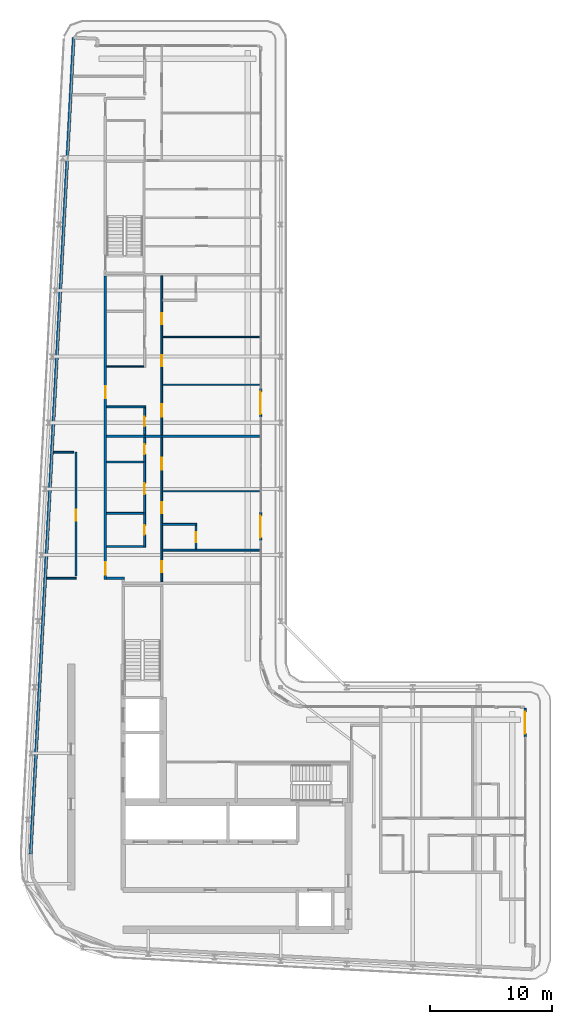
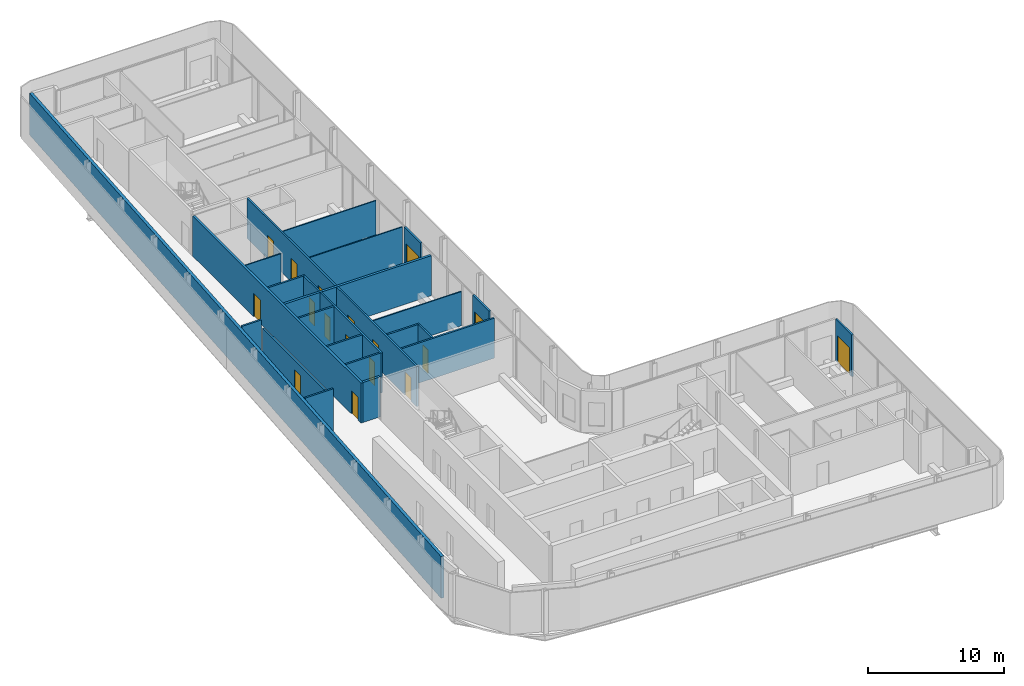
# One storey, part 13 of 21: 25 walls, 17 doors, 17 openings.
"""IFC4 building model written with IfcOpenShell, lengths in metres."""

import ifcopenshell
import ifcopenshell.guid

model = None  # the IFC model being written
_history = None  # IfcOwnerHistory: only IFC2X3 demands one
_inside = {}  # id of a spatial element -> (the spatial element, [elements in it])
_under = {}  # id of a project, library or spatial element -> (it, [spatial elements below it])
_declared = {}  # id of a project -> (the project, [libraries it declares])
_typed = {}  # id of a type object -> (the type object, [elements of that type])
_made_of = {}  # id of a material, layer set ... -> (it, [elements and type objects made of it])


def new_model(schema):
    """Start an empty IFC model of exactly this schema.

    Asked for "IFC4X3", IfcOpenShell would pick the latest addendum, in which some entities
    have other attributes; the version numbers below select the first issue.
    IFC2X3 requires an IfcOwnerHistory on every rooted entity: one is made here for all.
    """
    global model, _history
    if schema == "IFC4X3":
        model = ifcopenshell.file(schema_version=(4, 3, 0, 0))
    else:
        model = ifcopenshell.file(schema=schema)
    _inside.clear()
    _under.clear()
    _declared.clear()
    _typed.clear()
    _made_of.clear()
    _history = None
    if model.schema == "IFC2X3":
        org = make("IfcOrganization", Name="unknown")
        user = make(
            "IfcPersonAndOrganization",
            ThePerson=make("IfcPerson", FamilyName="unknown"),
            TheOrganization=org,
        )
        app = make(
            "IfcApplication",
            ApplicationDeveloper=org,
            Version="unknown",
            ApplicationFullName="unknown",
            ApplicationIdentifier="unknown",
        )
        _history = make(
            "IfcOwnerHistory",
            OwningUser=user,
            OwningApplication=app,
            ChangeAction="ADDED",
            CreationDate=0,
        )
    return model


def make(cls, **values):
    """One entity of the class cls with the attributes given. An attribute that is None is left unset."""
    return model.create_entity(
        cls, **{name: value for name, value in values.items() if value is not None}
    )


def rooted(cls, **values):
    """An entity with a GlobalId (a new one), such as an element, a storey or a relation."""
    return make(cls, GlobalId=ifcopenshell.guid.new(), OwnerHistory=_history, **values)


def si_unit(unit_type, name, prefix=None):
    """IfcSIUnit, for example si_unit("LENGTHUNIT", "METRE", prefix="MILLI")."""
    return make("IfcSIUnit", UnitType=unit_type, Prefix=prefix, Name=name)


def assignment(units):
    """IfcUnitAssignment: the units of a project."""
    return None if units is None else make("IfcUnitAssignment", Units=units)


def point(xyz):
    """IfcCartesianPoint."""
    return None if xyz is None else make("IfcCartesianPoint", Coordinates=xyz)


def direction(xyz):
    """IfcDirection."""
    return None if xyz is None else make("IfcDirection", DirectionRatios=xyz)


def frame(location, z_axis=None, x_axis=None):
    """IfcAxis2Placement3D, a coordinate frame: its origin and axes. An axis left out is left unset."""
    return make(
        "IfcAxis2Placement3D",
        Location=point(location),
        Axis=direction(z_axis),
        RefDirection=direction(x_axis),
    )


def frame_2d(location, x_axis=None):
    """IfcAxis2Placement2D, a coordinate frame in the plane: its origin and x axis."""
    return make(
        "IfcAxis2Placement2D", Location=point(location), RefDirection=direction(x_axis)
    )


def origin():
    """The frame at (0, 0, 0) with its axes left unset."""
    return frame((0.0, 0.0, 0.0))


def place(relative_to, where):
    """IfcLocalPlacement: puts the frame where relative to a parent placement (None: the world)."""
    return make(
        "IfcLocalPlacement", PlacementRelTo=relative_to, RelativePlacement=where
    )


def context(
    kind, dimensions, precision=None, world=None, true_north=None, identifier=None
):
    """IfcGeometricRepresentationContext, for example the 3D "Model" context."""
    return make(
        "IfcGeometricRepresentationContext",
        ContextIdentifier=identifier,
        ContextType=kind,
        CoordinateSpaceDimension=dimensions,
        Precision=precision,
        WorldCoordinateSystem=world,
        TrueNorth=true_north,
    )


def subcontext(parent, identifier, kind, view, scale=None):
    """IfcGeometricRepresentationSubContext, for example "Body" below "Model"."""
    return make(
        "IfcGeometricRepresentationSubContext",
        ContextIdentifier=identifier,
        ContextType=kind,
        ParentContext=parent,
        TargetScale=scale,
        TargetView=view,
    )


def project(units=None, contexts=None):
    """IfcProject with its units and contexts."""
    return rooted(
        "IfcProject",
        Name="project",
        RepresentationContexts=contexts,
        UnitsInContext=assignment(units),
    )


def spatial(cls, under=None, at=None, **own):
    """A site, building, storey or space (cls), placed at a placement, below another one or the project."""
    s = rooted(cls, ObjectPlacement=at, **own)
    if under is not None:
        _under.setdefault(under.id(), (under, []))[1].append(s)
    return s


def profile(cls, at=None, kind="AREA", **sizes):
    """A parametric profile (cls). Its sizes go by their IFC names, for example OverallWidth=200.0."""
    return make(cls, ProfileType=kind, Position=at, **sizes)


def rectangle(**sizes):
    """IfcRectangleProfileDef."""
    return profile("IfcRectangleProfileDef", **sizes)


def extrude(swept, where, along, depth):
    """IfcExtrudedAreaSolid: the profile swept, set in the frame where, extruded along a direction by depth."""
    return make(
        "IfcExtrudedAreaSolid",
        SweptArea=swept,
        Position=where,
        ExtrudedDirection=direction(along),
        Depth=depth,
    )


def shape(context_of_items, identifier, shape_type, items):
    """IfcShapeRepresentation: the items that make up one representation, for example the "Body"."""
    return make(
        "IfcShapeRepresentation",
        ContextOfItems=context_of_items,
        RepresentationIdentifier=identifier,
        RepresentationType=shape_type,
        Items=items,
    )


def source(mapping_origin, context_of_items, identifier, shape_type, items):
    """IfcRepresentationMap: a shape defined once, which mapped items show again and again."""
    return make(
        "IfcRepresentationMap",
        MappingOrigin=mapping_origin,
        MappedRepresentation=shape(context_of_items, identifier, shape_type, items),
    )


def transform(
    local_origin,
    x_axis=None,
    y_axis=None,
    z_axis=None,
    scale=None,
    scale2=None,
    scale3=None,
    uniform=True,
):
    """IfcCartesianTransformationOperator3D, or its non-uniform kind. x_axis, y_axis, z_axis: its Axis1, 2, 3."""
    if uniform:
        return make(
            "IfcCartesianTransformationOperator3D",
            Axis1=direction(x_axis),
            Axis2=direction(y_axis),
            LocalOrigin=point(local_origin),
            Scale=scale,
            Axis3=direction(z_axis),
        )
    return make(
        "IfcCartesianTransformationOperator3DnonUniform",
        Axis1=direction(x_axis),
        Axis2=direction(y_axis),
        LocalOrigin=point(local_origin),
        Scale=scale,
        Axis3=direction(z_axis),
        Scale2=scale2,
        Scale3=scale3,
    )


def mapped(mapping_source, mapping_target):
    """IfcMappedItem: shows the shape of a source again, moved by a transform."""
    return make(
        "IfcMappedItem", MappingSource=mapping_source, MappingTarget=mapping_target
    )


def material(Name=None, Category=None):
    """IfcMaterial."""
    return make("IfcMaterial", Name=Name, Category=Category)


def layer(
    of_material, thickness, ventilated=None, Name=None, Category=None, Priority=None
):
    """IfcMaterialLayer: one layer of a wall or slab, of a material (None: an air gap)."""
    return make(
        "IfcMaterialLayer",
        Material=of_material,
        LayerThickness=thickness,
        IsVentilated=ventilated,
        Name=Name,
        Category=Category,
        Priority=Priority,
    )


def layer_set(layers, Name=None):
    """IfcMaterialLayerSet."""
    return make("IfcMaterialLayerSet", MaterialLayers=layers, LayerSetName=Name)


def made_of(thing, what):
    """Note that an element or type object is made of a material, layer set ...; save() writes the relation."""
    if what is not None:
        _made_of.setdefault(what.id(), (what, []))[1].append(thing)
    return thing


def type_object(cls, material=None, **own):
    """A type object (cls), such as IfcWallType, which elements share."""
    return made_of(rooted(cls, **own), material)


def element(
    cls,
    number,
    at=None,
    inside=None,
    cuts=None,
    type_object=None,
    material=None,
    context=None,
    identifier="Body",
    shape_type=None,
    held_by="IfcProductDefinitionShape",
    body=None,
    shapes=None,
    **own,
):
    """One element of the class cls, such as IfcWall. Its Tag is "e" and its number.

    at: its placement. inside: the storey or other place that contains it. cuts: it is an
    opening in that element (IfcRelVoidsElement). A single representation is given by context,
    identifier, shape_type and body (its items); several are given by shapes. held_by: the class
    of the entity that holds the representations. save() writes the other relations.
    """
    e = rooted(cls, Tag="e%d" % number, ObjectPlacement=at, **own)
    if body is not None:
        shapes = [shape(context, identifier, shape_type, body)]
    if shapes is not None:
        e.Representation = make(held_by, Representations=shapes)
    if inside is not None:
        _inside.setdefault(inside.id(), (inside, []))[1].append(e)
    if cuts is not None:
        rooted(
            "IfcRelVoidsElement", RelatingBuildingElement=cuts, RelatedOpeningElement=e
        )
    if type_object is not None:
        _typed.setdefault(type_object.id(), (type_object, []))[1].append(e)
    return made_of(e, material)


def fill(opening, filler):
    """IfcRelFillsElement: the door or window that sits in an opening."""
    return rooted(
        "IfcRelFillsElement",
        RelatingOpeningElement=opening,
        RelatedBuildingElement=filler,
    )


def aggregate(whole, parts):
    """IfcRelAggregates: a whole, such as a stair, and the parts it consists of."""
    return rooted("IfcRelAggregates", RelatingObject=whole, RelatedObjects=parts)


def save(model, path):
    """Write the relations noted so far, then the file.

    IfcRelAggregates (storeys below a building ...), IfcRelContainedInSpatialStructure (elements
    in a storey), IfcRelDefinesByType, IfcRelAssociatesMaterial and IfcRelDeclares: one each for
    every whole, place, type object, material and project.
    """
    for whole, parts in _under.values():
        aggregate(whole, parts)
    for where, things in _inside.values():
        rooted(
            "IfcRelContainedInSpatialStructure",
            RelatedElements=things,
            RelatingStructure=where,
        )
    for kind, things in _typed.values():
        rooted("IfcRelDefinesByType", RelatedObjects=things, RelatingType=kind)
    for what, things in _made_of.values():
        rooted("IfcRelAssociatesMaterial", RelatedObjects=things, RelatingMaterial=what)
    for by, libraries in _declared.values():
        rooted("IfcRelDeclares", RelatingContext=by, RelatedDefinitions=libraries)
    model.write(path)


model = new_model("IFC4")

# Units and contexts
model_context = context("Model", 3, precision=1e-05, world=origin(), true_north=direction((0.0, 1.0)))
body_context = subcontext(model_context, "Body", "Model", "MODEL_VIEW")
ifc_project = project(units=[si_unit("LENGTHUNIT", "METRE"), si_unit("AREAUNIT", "SQUARE_METRE"), si_unit("VOLUMEUNIT", "CUBIC_METRE"), si_unit("PLANEANGLEUNIT", "RADIAN"), si_unit("MASSUNIT", "GRAM", prefix="KILO")], contexts=[model_context])

# Site, building, storey
site_placement = place(None, origin())
site = spatial("IfcSite", under=ifc_project, at=site_placement, CompositionType="ELEMENT")
building_placement = place(site_placement, origin())
building = spatial("IfcBuilding", under=site, at=building_placement, Name="Kheshtan School and Residences Tower", CompositionType="ELEMENT")
storey_placement = place(building_placement, frame((0.0, 0.0, 298.10009765625)))
storey = spatial("IfcBuildingStorey", under=building, at=storey_placement, Name="L70", CompositionType="ELEMENT", Elevation=298.10009765625)

# Wall, openings, doors
ifc_material_1 = material(Name="Gypsum board on steel studs with fire boards", Category="steel")
ifc_layer_1 = layer(ifc_material_1, 0.199951171875)
ifc_layer_set_1 = layer_set([ifc_layer_1], Name="Corridor wall 200")
wall_type_1 = type_object("IfcWallType", Name="Corridor wall 200", PredefinedType="PARTITIONING", material=ifc_layer_set_1)
wall_1_placement = place(storey_placement, frame((33.300048828125, 54.39990234375, 0.0), z_axis=(0.0, 0.0, 1.0), x_axis=(0.0, 1.0, 0.0)))
wall_1 = element("IfcWall", 1, at=wall_1_placement, inside=storey, type_object=wall_type_1, Name="Partition L70-004", PredefinedType="PARTITIONING", context=body_context, shape_type="SweptSolid", body=[
    extrude(rectangle(XDim=24.800048828125, YDim=0.199951171875, at=frame_2d((12.39990234375, 0.0))), origin(), (0.0, 0.0, 1.0), 3.599853515625),
])
opening_1_placement = place(wall_1_placement, frame((0.39990234375, 0.0, 0.0)))
opening_1 = element("IfcOpeningElement", 2, at=opening_1_placement, cuts=wall_1, Name="Opening D70-013", PredefinedType="OPENING", context=body_context, shape_type="SweptSolid", body=[
    extrude(rectangle(XDim=1.0, YDim=2.10009765625, at=frame_2d((0.5, 1.050048828125))), frame((0.0, 0.10986328125, 0.0), z_axis=(0.0, -1.0, 0.0), x_axis=(1.0, 0.0, 0.0)), (0.0, 0.0, 1.0), 0.219970703125),
])
opening_2_placement = place(wall_1_placement, frame((14.800048828125, 0.0, 0.0)))
opening_2 = element("IfcOpeningElement", 3, at=opening_2_placement, cuts=wall_1, Name="Opening D70-021", PredefinedType="OPENING", context=body_context, shape_type="SweptSolid", body=[
    extrude(rectangle(XDim=1.0, YDim=2.10009765625, at=frame_2d((0.5, 1.050048828125))), frame((0.0, 0.10986328125, 0.0), z_axis=(0.0, -1.0, 0.0), x_axis=(1.0, 0.0, 0.0)), (0.0, 0.0, 1.0), 0.219970703125),
])
ifc_material_2 = material(Name="Steel-framed fire-resisting door leaf", Category="steel")
door_type_1 = type_object("IfcDoorType", Name="Fire door FD30S 1000 x 2100", OperationType="SINGLE_SWING_LEFT", PredefinedType="DOOR", material=ifc_material_2)
shared_shape_1 = source(origin(), body_context, "Body", "SweptSolid", [
    extrude(rectangle(XDim=1.0, YDim=2.10009765625, at=frame_2d((0.5, 1.050048828125))), frame((0.0, 0.02490234375, 0.0), z_axis=(0.0, -1.0, 0.0), x_axis=(1.0, 0.0, 0.0)), (0.0, 0.0, 1.0), 0.050048828125),
])
door_1_placement = place(opening_1_placement, origin())
door_1 = element("IfcDoor", 4, at=door_1_placement, inside=storey, type_object=door_type_1, Name="Door D70-013", OperationType="SINGLE_SWING_RIGHT", OverallHeight=2.10009765625, OverallWidth=1.0, PredefinedType="DOOR", context=body_context, shape_type="MappedRepresentation", body=[
    mapped(shared_shape_1, transform((0.0, 0.0, 0.0), x_axis=(1.0, 0.0, 0.0), y_axis=(0.0, 1.0, 0.0), z_axis=(0.0, 0.0, 1.0), scale=1.0)),
])
fill(opening_1, door_1)
door_2_placement = place(opening_2_placement, origin())
door_2 = element("IfcDoor", 5, at=door_2_placement, inside=storey, type_object=door_type_1, Name="Door D70-021", OperationType="SINGLE_SWING_RIGHT", OverallHeight=2.10009765625, OverallWidth=1.0, PredefinedType="DOOR", context=body_context, shape_type="MappedRepresentation", body=[
    mapped(shared_shape_1, transform((0.0, 0.0, 0.0), x_axis=(1.0, 0.0, 0.0), y_axis=(0.0, 1.0, 0.0), z_axis=(0.0, 0.0, 1.0), scale=1.0)),
])
fill(opening_2, door_2)

# Walls
wall_2_placement = place(storey_placement, frame((33.39990234375, 54.5, 0.0), z_axis=(0.0, 0.0, 1.0), x_axis=(1.0, 0.0, 0.0)))
element("IfcWall", 6, at=wall_2_placement, inside=storey, type_object=wall_type_1, Name="Partition L70-006", PredefinedType="PARTITIONING", context=body_context, shape_type="SweptSolid", body=[
    extrude(rectangle(XDim=1.4501953125, YDim=0.199951171875, at=frame_2d((0.72509765625, 0.0))), origin(), (0.0, 0.0, 1.0), 3.599853515625),
])
ifc_material_3 = material(Name="Concrete C40/50 with ceramic cladding and mineral wool insulation", Category="concrete")
ifc_layer_2 = layer(ifc_material_3, 0.25)
ifc_layer_set_2 = layer_set([ifc_layer_2], Name="External wall 250 ceramic clad")
wall_type_2 = type_object("IfcWallType", Name="External wall 250 ceramic clad", PredefinedType="SOLIDWALL", material=ifc_layer_set_2)
wall_3_placement = place(storey_placement, frame((27.195068359375, 31.968994140625, 0.0), z_axis=(0.0, 0.0, 1.0), x_axis=(0.052554995867, 0.998618031286, 0.0)))
element("IfcWall", 7, at=wall_3_placement, inside=storey, type_object=wall_type_2, Name="External wall L70 4", PredefinedType="SOLIDWALL", context=body_context, shape_type="SweptSolid", body=[
    extrude(rectangle(XDim=66.787353515625, YDim=0.25, at=frame_2d((33.3935546875, 0.0))), origin(), (0.0, 0.0, 1.0), 3.75),
])

# Wall, opening, door
ifc_material_4 = material(Name="Aluminium frame wall with insulated infill", Category="aluminium")
ifc_layer_3 = layer(ifc_material_4, 0.14990234375)
ifc_layer_set_3 = layer_set([ifc_layer_3], Name="Glazing frame wall 150")
wall_type_3 = type_object("IfcWallType", Name="Glazing frame wall 150", PredefinedType="SOLIDWALL", material=ifc_layer_set_3)
wall_4_placement = place(storey_placement, frame((45.97509765625, 70.01806640625, 0.0), z_axis=(0.0, 0.0, 1.0), x_axis=(0.0, -1.0, 0.0)))
wall_4 = element("IfcWall", 8, at=wall_4_placement, inside=storey, type_object=wall_type_3, Name="Balcony door wall L70 8.3", PredefinedType="SOLIDWALL", context=body_context, shape_type="SweptSolid", body=[
    extrude(rectangle(XDim=2.400146484375, YDim=0.14990234375, at=frame_2d((1.2001953125, 0.0))), origin(), (0.0, 0.0, 1.0), 3.75),
])
opening_3_placement = place(wall_4_placement, frame((0.300048828125, 0.0, 0.0)))
opening_3 = element("IfcOpeningElement", 9, at=opening_3_placement, cuts=wall_4, Name="Opening BD", PredefinedType="OPENING", context=body_context, shape_type="SweptSolid", body=[
    extrude(rectangle(XDim=1.800048828125, YDim=2.39990234375, at=frame_2d((0.89990234375, 1.199951171875))), frame((0.0, 0.0849609375, 0.0), z_axis=(0.0, -1.0, 0.0), x_axis=(1.0, 0.0, 0.0)), (0.0, 0.0, 1.0), 0.169921875),
])
ifc_material_5 = material(Name="Clear low-e glass in thermally broken aluminium frame", Category="aluminium")
door_type_2 = type_object("IfcDoorType", Name="Balcony sliding door", OperationType="SLIDING_TO_LEFT", PredefinedType="DOOR", material=ifc_material_5)
shared_shape_2 = source(origin(), body_context, "Body", "SweptSolid", [
    extrude(rectangle(XDim=1.800048828125, YDim=2.39990234375, at=frame_2d((0.89990234375, 1.199951171875))), frame((0.0, 0.02490234375, 0.0), z_axis=(0.0, -1.0, 0.0), x_axis=(1.0, 0.0, 0.0)), (0.0, 0.0, 1.0), 0.050048828125),
])
door_3_placement = place(opening_3_placement, origin())
door_3 = element("IfcDoor", 10, at=door_3_placement, inside=storey, type_object=door_type_2, Name="Balcony door L70 8.3", OperationType="SLIDING_TO_LEFT", OverallHeight=2.39990234375, OverallWidth=1.800048828125, PredefinedType="DOOR", context=body_context, shape_type="MappedRepresentation", body=[
    mapped(shared_shape_2, transform((0.0, 0.0, 0.0), x_axis=(1.0, 0.0, 0.0), y_axis=(0.0, 1.0, 0.0), z_axis=(0.0, 0.0, 1.0), scale=1.0)),
])
fill(opening_3, door_3)

wall_5_placement = place(storey_placement, frame((45.97509765625, 59.924072265625, 0.0), z_axis=(0.0, 0.0, 1.0), x_axis=(0.0, -1.0, 0.0)))
wall_5 = element("IfcWall", 11, at=wall_5_placement, inside=storey, type_object=wall_type_3, Name="Balcony door wall L70 8.4", PredefinedType="SOLIDWALL", context=body_context, shape_type="SweptSolid", body=[
    extrude(rectangle(XDim=2.400146484375, YDim=0.14990234375, at=frame_2d((1.2001953125, 0.0))), origin(), (0.0, 0.0, 1.0), 3.75),
])
opening_4_placement = place(wall_5_placement, frame((0.300048828125, 0.0, 0.0)))
opening_4 = element("IfcOpeningElement", 12, at=opening_4_placement, cuts=wall_5, Name="Opening BD", PredefinedType="OPENING", context=body_context, shape_type="SweptSolid", body=[
    extrude(rectangle(XDim=1.800048828125, YDim=2.39990234375, at=frame_2d((0.89990234375, 1.199951171875))), frame((0.0, 0.0849609375, 0.0), z_axis=(0.0, -1.0, 0.0), x_axis=(1.0, 0.0, 0.0)), (0.0, 0.0, 1.0), 0.169921875),
])
door_4_placement = place(opening_4_placement, origin())
door_4 = element("IfcDoor", 13, at=door_4_placement, inside=storey, type_object=door_type_2, Name="Balcony door L70 8.4", OperationType="SLIDING_TO_LEFT", OverallHeight=2.39990234375, OverallWidth=1.800048828125, PredefinedType="DOOR", context=body_context, shape_type="MappedRepresentation", body=[
    mapped(shared_shape_2, transform((0.0, 0.0, 0.0), x_axis=(1.0, 0.0, 0.0), y_axis=(0.0, 1.0, 0.0), z_axis=(0.0, 0.0, 1.0), scale=1.0)),
])
fill(opening_4, door_4)

wall_6_placement = place(storey_placement, frame((67.574951171875, 43.89990234375, 0.0), z_axis=(0.0, 0.0, 1.0), x_axis=(0.0, -1.0, 0.0)))
wall_6 = element("IfcWall", 14, at=wall_6_placement, inside=storey, type_object=wall_type_3, Name="Balcony door wall L70 13.1", PredefinedType="SOLIDWALL", context=body_context, shape_type="SweptSolid", body=[
    extrude(rectangle(XDim=2.39990234375, YDim=0.14990234375, at=frame_2d((1.199951171875, 0.0))), origin(), (0.0, 0.0, 1.0), 3.75),
])
opening_5_placement = place(wall_6_placement, frame((0.300048828125, 0.0, 0.0)))
opening_5 = element("IfcOpeningElement", 15, at=opening_5_placement, cuts=wall_6, Name="Opening BD", PredefinedType="OPENING", context=body_context, shape_type="SweptSolid", body=[
    extrude(rectangle(XDim=1.800048828125, YDim=2.39990234375, at=frame_2d((0.89990234375, 1.199951171875))), frame((0.0, 0.0849609375, 0.0), z_axis=(0.0, -1.0, 0.0), x_axis=(1.0, 0.0, 0.0)), (0.0, 0.0, 1.0), 0.169921875),
])
door_5_placement = place(opening_5_placement, origin())
door_5 = element("IfcDoor", 16, at=door_5_placement, inside=storey, type_object=door_type_2, Name="Balcony door L70 13.1", OperationType="SLIDING_TO_LEFT", OverallHeight=2.39990234375, OverallWidth=1.800048828125, PredefinedType="DOOR", context=body_context, shape_type="MappedRepresentation", body=[
    mapped(shared_shape_2, transform((0.0, 0.0, 0.0), x_axis=(1.0, 0.0, 0.0), y_axis=(0.0, 1.0, 0.0), z_axis=(0.0, 0.0, 1.0), scale=1.0)),
])
fill(opening_5, door_5)

# Walls
ifc_material_6 = material(Name="Gypsum board on steel studs", Category="steel")
ifc_layer_4 = layer(ifc_material_6, 0.10009765625)
ifc_layer_set_4 = layer_set([ifc_layer_4], Name="Gypsum partition 100")
wall_type_4 = type_object("IfcWallType", Name="Gypsum partition 100", PredefinedType="PARTITIONING", material=ifc_layer_set_4)
wall_7_placement = place(storey_placement, frame((33.39990234375, 71.800048828125, 0.0), z_axis=(0.0, 0.0, 1.0), x_axis=(1.0, 0.0, 0.0)))
element("IfcWall", 17, at=wall_7_placement, inside=storey, type_object=wall_type_4, Name="Partition L70-012", PredefinedType="PARTITIONING", context=body_context, shape_type="SweptSolid", body=[
    extrude(rectangle(XDim=3.025146484375, YDim=0.10009765625, at=frame_2d((1.5126953125, 0.0))), origin(), (0.0, 0.0, 1.0), 3.599853515625),
])
wall_8_placement = place(storey_placement, frame((37.97509765625, 61.60009765625, 0.0), z_axis=(0.0, 0.0, 1.0), x_axis=(1.0, 0.0, 0.0)))
element("IfcWall", 18, at=wall_8_placement, inside=storey, type_object=wall_type_4, Name="Partition L70-033", PredefinedType="PARTITIONING", context=body_context, shape_type="SweptSolid", body=[
    extrude(rectangle(XDim=7.9248046875, YDim=0.10009765625, at=frame_2d((3.96240234375, 0.0))), origin(), (0.0, 0.0, 1.0), 3.072021484375),
])
for number, where, z_axis, x_axis, name in (
    (19, (37.97509765625, 70.300048828125, 0.0), (0.0, 0.0, 1.0), (1.0, 0.0, 0.0), "Partition L70-034"),
    (20, (37.97509765625, 74.199951171875, 0.0), (0.0, 0.0, 1.0), (1.0, 0.0, 0.0), "Partition L70-035"),
):
    element("IfcWall", number, at=place(storey_placement, frame(where, z_axis=z_axis, x_axis=x_axis)), inside=storey, type_object=wall_type_4, Name=name, PredefinedType="PARTITIONING", context=body_context, shape_type="SweptSolid", body=[
        extrude(rectangle(XDim=7.9248046875, YDim=0.10009765625, at=frame_2d((3.96240234375, 0.0))), origin(), (0.0, 0.0, 1.0), 3.599853515625),
    ])
ifc_material_7 = material(Name="Fire-board shaft wall system")
ifc_layer_5 = layer(ifc_material_7, 0.14990234375)
ifc_layer_set_5 = layer_set([ifc_layer_5], Name="Service room wall 150")
wall_type_5 = type_object("IfcWallType", Name="Service room wall 150", PredefinedType="PARTITIONING", material=ifc_layer_set_5)
wall_9_placement = place(storey_placement, frame((28.508056640625, 54.5, 0.0), z_axis=(0.0, 0.0, 1.0), x_axis=(1.0, 0.0, 0.0)))
element("IfcWall", 21, at=wall_9_placement, inside=storey, type_object=wall_type_5, Name="Service room wall", PredefinedType="PARTITIONING", context=body_context, shape_type="SweptSolid", body=[
    extrude(rectangle(XDim=2.391845703125, YDim=0.14990234375, at=frame_2d((1.19580078125, 0.0))), origin(), (0.0, 0.0, 1.0), 3.89990234375),
])

# Wall, opening, door
wall_10_placement = place(storey_placement, frame((30.89990234375, 54.695068359375, 0.0), z_axis=(0.0, 0.0, 1.0), x_axis=(0.0, 1.0, 0.0)))
wall_10 = element("IfcWall", 22, at=wall_10_placement, inside=storey, type_object=wall_type_5, Name="Service room wall", PredefinedType="PARTITIONING", context=body_context, shape_type="SweptSolid", body=[
    extrude(rectangle(XDim=10.10498046875, YDim=0.14990234375, at=frame_2d((5.052490234375, 0.0))), origin(), (0.0, 0.0, 1.0), 3.072021484375),
])
opening_6_placement = place(wall_10_placement, frame((4.5048828125, 0.0, 0.0)))
opening_6 = element("IfcOpeningElement", 23, at=opening_6_placement, cuts=wall_10, Name="Opening SR90", PredefinedType="OPENING", context=body_context, shape_type="SweptSolid", body=[
    extrude(rectangle(XDim=0.89990234375, YDim=2.199951171875, at=frame_2d((0.449951171875, 1.10009765625))), frame((0.0, 0.0849609375, 0.0), z_axis=(0.0, -1.0, 0.0), x_axis=(1.0, 0.0, 0.0)), (0.0, 0.0, 1.0), 0.169921875),
])
ifc_material_8 = material(Name="Steel door leaf, galvanised", Category="steel")
door_type_3 = type_object("IfcDoorType", Name="Service room door 900 steel 90 min", OperationType="SINGLE_SWING_LEFT", PredefinedType="DOOR", material=ifc_material_8)
shared_shape_3 = source(origin(), body_context, "Body", "SweptSolid", [
    extrude(rectangle(XDim=0.89990234375, YDim=2.199951171875, at=frame_2d((0.449951171875, 1.10009765625))), frame((0.0, 0.02490234375, 0.0), z_axis=(0.0, -1.0, 0.0), x_axis=(1.0, 0.0, 0.0)), (0.0, 0.0, 1.0), 0.050048828125),
])
door_6_placement = place(opening_6_placement, origin())
door_6 = element("IfcDoor", 24, at=door_6_placement, inside=storey, type_object=door_type_3, Name="Service room door", OperationType="SINGLE_SWING_LEFT", OverallHeight=2.199951171875, OverallWidth=0.89990234375, PredefinedType="DOOR", context=body_context, shape_type="MappedRepresentation", body=[
    mapped(shared_shape_3, transform((0.0, 0.0, 0.0), x_axis=(1.0, 0.0, 0.0), y_axis=(0.0, 1.0, 0.0), z_axis=(0.0, 0.0, 1.0), scale=1.0)),
])
fill(opening_6, door_6)

# Walls
wall_11_placement = place(storey_placement, frame((29.050048828125, 64.800048828125, 0.0), z_axis=(0.0, 0.0, 1.0), x_axis=(1.0, 0.0, 0.0)))
element("IfcWall", 25, at=wall_11_placement, inside=storey, type_object=wall_type_5, Name="Service room wall", PredefinedType="PARTITIONING", context=body_context, shape_type="SweptSolid", body=[
    extrude(rectangle(XDim=1.655029296875, YDim=0.14990234375, at=frame_2d((0.82763671875, 0.0))), origin(), (0.0, 0.0, 1.0), 3.89990234375),
])
ifc_material_9 = material(Name="Twin gypsum board on steel studs with mineral wool", Category="steel")
ifc_layer_6 = layer(ifc_material_9, 0.199951171875)
ifc_layer_set_6 = layer_set([ifc_layer_6], Name="Unit demising wall 200")
wall_type_6 = type_object("IfcWallType", Name="Unit demising wall 200", PredefinedType="PARTITIONING", material=ifc_layer_set_6)
wall_12_placement = place(storey_placement, frame((33.39990234375, 66.10009765625, 0.0), z_axis=(0.0, 0.0, 1.0), x_axis=(1.0, 0.0, 0.0)))
element("IfcWall", 26, at=wall_12_placement, inside=storey, type_object=wall_type_6, Name="Partition L70-010", PredefinedType="PARTITIONING", context=body_context, shape_type="SweptSolid", body=[
    extrude(rectangle(XDim=12.5, YDim=0.199951171875, at=frame_2d((6.25, 0.0))), origin(), (0.0, 0.0, 1.0), 3.599853515625),
])
ifc_material_10 = material(Name="Moisture-resistant gypsum board on steel studs", Category="steel")
ifc_layer_7 = layer(ifc_material_10, 0.14990234375)
ifc_layer_set_7 = layer_set([ifc_layer_7], Name="Wet-room partition 150")
wall_type_7 = type_object("IfcWallType", Name="Wet-room partition 150", PredefinedType="PARTITIONING", material=ifc_layer_set_7)
for number, where, z_axis, x_axis, name in (
    (27, (33.39990234375, 57.10009765625, 0.0), (0.0, 0.0, 1.0), (1.0, 0.0, 0.0), "Partition L70-007"),
    (28, (33.39990234375, 59.800048828125, 0.0), (0.0, 0.0, 1.0), (1.0, 0.0, 0.0), "Partition L70-008"),
    (29, (33.39990234375, 64.0, 0.0), (0.0, 0.0, 1.0), (1.0, 0.0, 0.0), "Partition L70-009"),
):
    element("IfcWall", number, at=place(storey_placement, frame(where, z_axis=z_axis, x_axis=x_axis)), inside=storey, type_object=wall_type_7, Name=name, PredefinedType="PARTITIONING", context=body_context, shape_type="SweptSolid", body=[
        extrude(rectangle(XDim=3.025146484375, YDim=0.14990234375, at=frame_2d((1.5126953125, 0.0))), origin(), (0.0, 0.0, 1.0), 3.599853515625),
    ])
wall_13_placement = place(storey_placement, frame((33.39990234375, 68.5, 0.0), z_axis=(0.0, 0.0, 1.0), x_axis=(1.0, 0.0, 0.0)))
element("IfcWall", 30, at=wall_13_placement, inside=storey, type_object=wall_type_7, Name="Partition L70-011", PredefinedType="PARTITIONING", context=body_context, shape_type="SweptSolid", body=[
    extrude(rectangle(XDim=3.175048828125, YDim=0.14990234375, at=frame_2d((1.58740234375, 0.0))), origin(), (0.0, 0.0, 1.0), 3.599853515625),
])

# Wall, openings, doors
wall_14_placement = place(storey_placement, frame((36.5, 57.02490234375, 0.0), z_axis=(0.0, 0.0, 1.0), x_axis=(0.0, 1.0, 0.0)))
wall_14 = element("IfcWall", 31, at=wall_14_placement, inside=storey, type_object=wall_type_7, Name="Partition L70-019", PredefinedType="PARTITIONING", context=body_context, shape_type="SweptSolid", body=[
    extrude(rectangle(XDim=8.97509765625, YDim=0.14990234375, at=frame_2d((4.487548828125, 0.0))), origin(), (0.0, 0.0, 1.0), 3.599853515625),
])
opening_7_placement = place(wall_14_placement, frame((1.02490234375, 0.0, 0.0)))
opening_7 = element("IfcOpeningElement", 32, at=opening_7_placement, cuts=wall_14, Name="Opening D70-010", PredefinedType="OPENING", context=body_context, shape_type="SweptSolid", body=[
    extrude(rectangle(XDim=0.800048828125, YDim=2.10009765625, at=frame_2d((0.39990234375, 1.050048828125))), frame((0.0, 0.0849609375, 0.0), z_axis=(0.0, -1.0, 0.0), x_axis=(1.0, 0.0, 0.0)), (0.0, 0.0, 1.0), 0.169921875),
])
opening_8_placement = place(wall_14_placement, frame((4.324951171875, 0.0, 0.0)))
opening_8 = element("IfcOpeningElement", 33, at=opening_8_placement, cuts=wall_14, Name="Opening D70-014", PredefinedType="OPENING", context=body_context, shape_type="SweptSolid", body=[
    extrude(rectangle(XDim=0.89990234375, YDim=2.10009765625, at=frame_2d((0.449951171875, 1.050048828125))), frame((0.0, 0.0849609375, 0.0), z_axis=(0.0, -1.0, 0.0), x_axis=(1.0, 0.0, 0.0)), (0.0, 0.0, 1.0), 0.169921875),
])
opening_9_placement = place(wall_14_placement, frame((7.625, 0.0, 0.0)))
opening_9 = element("IfcOpeningElement", 34, at=opening_9_placement, cuts=wall_14, Name="Opening D70-017", PredefinedType="OPENING", context=body_context, shape_type="SweptSolid", body=[
    extrude(rectangle(XDim=0.800048828125, YDim=2.10009765625, at=frame_2d((0.39990234375, 1.050048828125))), frame((0.0, 0.0849609375, 0.0), z_axis=(0.0, -1.0, 0.0), x_axis=(1.0, 0.0, 0.0)), (0.0, 0.0, 1.0), 0.169921875),
])
ifc_material_11 = material(Name="Veneered timber door leaf", Category="wood")
door_type_4 = type_object("IfcDoorType", Name="Door 800 x 2100", OperationType="SINGLE_SWING_LEFT", PredefinedType="DOOR", material=ifc_material_11)
shared_shape_4 = source(origin(), body_context, "Body", "SweptSolid", [
    extrude(rectangle(XDim=0.800048828125, YDim=2.10009765625, at=frame_2d((0.39990234375, 1.050048828125))), frame((0.0, 0.02490234375, 0.0), z_axis=(0.0, -1.0, 0.0), x_axis=(1.0, 0.0, 0.0)), (0.0, 0.0, 1.0), 0.050048828125),
])
door_7_placement = place(opening_7_placement, origin())
door_7 = element("IfcDoor", 35, at=door_7_placement, inside=storey, type_object=door_type_4, Name="Door D70-010", OperationType="SINGLE_SWING_RIGHT", OverallHeight=2.10009765625, OverallWidth=0.800048828125, PredefinedType="DOOR", context=body_context, shape_type="MappedRepresentation", body=[
    mapped(shared_shape_4, transform((0.0, 0.0, 0.0), x_axis=(1.0, 0.0, 0.0), y_axis=(0.0, 1.0, 0.0), z_axis=(0.0, 0.0, 1.0), scale=1.0)),
])
fill(opening_7, door_7)
door_8_placement = place(opening_9_placement, origin())
door_8 = element("IfcDoor", 36, at=door_8_placement, inside=storey, type_object=door_type_4, Name="Door D70-017", OperationType="SINGLE_SWING_RIGHT", OverallHeight=2.10009765625, OverallWidth=0.800048828125, PredefinedType="DOOR", context=body_context, shape_type="MappedRepresentation", body=[
    mapped(shared_shape_4, transform((0.0, 0.0, 0.0), x_axis=(1.0, 0.0, 0.0), y_axis=(0.0, 1.0, 0.0), z_axis=(0.0, 0.0, 1.0), scale=1.0)),
])
fill(opening_9, door_8)
door_type_5 = type_object("IfcDoorType", Name="Door 900 x 2100", OperationType="SINGLE_SWING_LEFT", PredefinedType="DOOR", material=ifc_material_11)
shared_shape_5 = source(origin(), body_context, "Body", "SweptSolid", [
    extrude(rectangle(XDim=0.89990234375, YDim=2.10009765625, at=frame_2d((0.449951171875, 1.050048828125))), frame((0.0, 0.02490234375, 0.0), z_axis=(0.0, -1.0, 0.0), x_axis=(1.0, 0.0, 0.0)), (0.0, 0.0, 1.0), 0.050048828125),
])
door_9_placement = place(opening_8_placement, origin())
door_9 = element("IfcDoor", 37, at=door_9_placement, inside=storey, type_object=door_type_5, Name="Door D70-014", OperationType="SINGLE_SWING_LEFT", OverallHeight=2.10009765625, OverallWidth=0.89990234375, PredefinedType="DOOR", context=body_context, shape_type="MappedRepresentation", body=[
    mapped(shared_shape_5, transform((0.0, 0.0, 0.0), x_axis=(1.0, 0.0, 0.0), y_axis=(0.0, 1.0, 0.0), z_axis=(0.0, 0.0, 1.0), scale=1.0)),
])
fill(opening_8, door_9)

# Wall, opening, door
wall_15_placement = place(storey_placement, frame((36.5, 66.199951171875, 0.0), z_axis=(0.0, 0.0, 1.0), x_axis=(0.0, 1.0, 0.0)))
wall_15 = element("IfcWall", 38, at=wall_15_placement, inside=storey, type_object=wall_type_7, Name="Partition L70-020", PredefinedType="PARTITIONING", context=body_context, shape_type="SweptSolid", body=[
    extrude(rectangle(XDim=2.22509765625, YDim=0.14990234375, at=frame_2d((1.112548828125, 0.0))), origin(), (0.0, 0.0, 1.0), 3.599853515625),
])
opening_10_placement = place(wall_15_placement, frame((0.699951171875, 0.0, 0.0)))
opening_10 = element("IfcOpeningElement", 39, at=opening_10_placement, cuts=wall_15, Name="Opening D70-025", PredefinedType="OPENING", context=body_context, shape_type="SweptSolid", body=[
    extrude(rectangle(XDim=0.800048828125, YDim=2.10009765625, at=frame_2d((0.39990234375, 1.050048828125))), frame((0.0, 0.0849609375, 0.0), z_axis=(0.0, -1.0, 0.0), x_axis=(1.0, 0.0, 0.0)), (0.0, 0.0, 1.0), 0.169921875),
])
door_10_placement = place(opening_10_placement, origin())
door_10 = element("IfcDoor", 40, at=door_10_placement, inside=storey, type_object=door_type_4, Name="Door D70-025", OperationType="SINGLE_SWING_LEFT", OverallHeight=2.10009765625, OverallWidth=0.800048828125, PredefinedType="DOOR", context=body_context, shape_type="MappedRepresentation", body=[
    mapped(shared_shape_4, transform((0.0, 0.0, 0.0), x_axis=(1.0, 0.0, 0.0), y_axis=(0.0, 1.0, 0.0), z_axis=(0.0, 0.0, 1.0), scale=1.0)),
])
fill(opening_10, door_10)

# Wall, openings, doors
wall_16_placement = place(storey_placement, frame((37.89990234375, 54.199951171875, 0.0), z_axis=(0.0, 0.0, 1.0), x_axis=(0.0, 1.0, 0.0)))
wall_16 = element("IfcWall", 41, at=wall_16_placement, inside=storey, type_object=wall_type_7, Name="Partition L70-027", PredefinedType="PARTITIONING", context=body_context, shape_type="SweptSolid", body=[
    extrude(rectangle(XDim=11.800048828125, YDim=0.14990234375, at=frame_2d((5.89990234375, 0.0))), origin(), (0.0, 0.0, 1.0), 3.599853515625),
])
opening_11_placement = place(wall_16_placement, frame((0.800048828125, 0.0, 0.0)))
opening_11 = element("IfcOpeningElement", 42, at=opening_11_placement, cuts=wall_16, Name="Opening D70-011", PredefinedType="OPENING", context=body_context, shape_type="SweptSolid", body=[
    extrude(rectangle(XDim=0.89990234375, YDim=2.10009765625, at=frame_2d((0.449951171875, 1.050048828125))), frame((0.0, 0.0849609375, 0.0), z_axis=(0.0, -1.0, 0.0), x_axis=(1.0, 0.0, 0.0)), (0.0, 0.0, 1.0), 0.169921875),
])
opening_12_placement = place(wall_16_placement, frame((9.14990234375, 0.0, 0.0)))
opening_12 = element("IfcOpeningElement", 43, at=opening_12_placement, cuts=wall_16, Name="Opening D70-015", PredefinedType="OPENING", context=body_context, shape_type="SweptSolid", body=[
    extrude(rectangle(XDim=1.0, YDim=2.10009765625, at=frame_2d((0.5, 1.050048828125))), frame((0.0, 0.0849609375, 0.0), z_axis=(0.0, -1.0, 0.0), x_axis=(1.0, 0.0, 0.0)), (0.0, 0.0, 1.0), 0.169921875),
])
opening_13_placement = place(wall_16_placement, frame((5.60009765625, 0.0, 0.0)))
opening_13 = element("IfcOpeningElement", 44, at=opening_13_placement, cuts=wall_16, Name="Opening D70-016", PredefinedType="OPENING", context=body_context, shape_type="SweptSolid", body=[
    extrude(rectangle(XDim=0.89990234375, YDim=2.10009765625, at=frame_2d((0.449951171875, 1.050048828125))), frame((0.0, 0.0849609375, 0.0), z_axis=(0.0, -1.0, 0.0), x_axis=(1.0, 0.0, 0.0)), (0.0, 0.0, 1.0), 0.169921875),
])
door_type_6 = type_object("IfcDoorType", Name="Door 1000 x 2100", OperationType="SINGLE_SWING_LEFT", PredefinedType="DOOR", material=ifc_material_11)
shared_shape_6 = source(origin(), body_context, "Body", "SweptSolid", [
    extrude(rectangle(XDim=1.0, YDim=2.10009765625, at=frame_2d((0.5, 1.050048828125))), frame((0.0, 0.02490234375, 0.0), z_axis=(0.0, -1.0, 0.0), x_axis=(1.0, 0.0, 0.0)), (0.0, 0.0, 1.0), 0.050048828125),
])
door_11_placement = place(opening_12_placement, origin())
door_11 = element("IfcDoor", 45, at=door_11_placement, inside=storey, type_object=door_type_6, Name="Door D70-015", OperationType="SINGLE_SWING_RIGHT", OverallHeight=2.10009765625, OverallWidth=1.0, PredefinedType="DOOR", context=body_context, shape_type="MappedRepresentation", body=[
    mapped(shared_shape_6, transform((0.0, 0.0, 0.0), x_axis=(1.0, 0.0, 0.0), y_axis=(0.0, 1.0, 0.0), z_axis=(0.0, 0.0, 1.0), scale=1.0)),
])
fill(opening_12, door_11)
door_12_placement = place(opening_11_placement, origin())
door_12 = element("IfcDoor", 46, at=door_12_placement, inside=storey, type_object=door_type_5, Name="Door D70-011", OperationType="SINGLE_SWING_LEFT", OverallHeight=2.10009765625, OverallWidth=0.89990234375, PredefinedType="DOOR", context=body_context, shape_type="MappedRepresentation", body=[
    mapped(shared_shape_5, transform((0.0, 0.0, 0.0), x_axis=(1.0, 0.0, 0.0), y_axis=(0.0, 1.0, 0.0), z_axis=(0.0, 0.0, 1.0), scale=1.0)),
])
fill(opening_11, door_12)
door_13_placement = place(opening_13_placement, origin())
door_13 = element("IfcDoor", 47, at=door_13_placement, inside=storey, type_object=door_type_5, Name="Door D70-016", OperationType="SINGLE_SWING_RIGHT", OverallHeight=2.10009765625, OverallWidth=0.89990234375, PredefinedType="DOOR", context=body_context, shape_type="MappedRepresentation", body=[
    mapped(shared_shape_5, transform((0.0, 0.0, 0.0), x_axis=(1.0, 0.0, 0.0), y_axis=(0.0, 1.0, 0.0), z_axis=(0.0, 0.0, 1.0), scale=1.0)),
])
fill(opening_13, door_13)

wall_17_placement = place(storey_placement, frame((37.89990234375, 66.199951171875, 0.0), z_axis=(0.0, 0.0, 1.0), x_axis=(0.0, 1.0, 0.0)))
wall_17 = element("IfcWall", 48, at=wall_17_placement, inside=storey, type_object=wall_type_7, Name="Partition L70-028", PredefinedType="PARTITIONING", context=body_context, shape_type="SweptSolid", body=[
    extrude(rectangle(XDim=13.0, YDim=0.14990234375, at=frame_2d((6.5, 0.0))), origin(), (0.0, 0.0, 1.0), 3.599853515625),
])
opening_14_placement = place(wall_17_placement, frame((5.60009765625, 0.0, 0.0)))
opening_14 = element("IfcOpeningElement", 49, at=opening_14_placement, cuts=wall_17, Name="Opening D70-019", PredefinedType="OPENING", context=body_context, shape_type="SweptSolid", body=[
    extrude(rectangle(XDim=0.89990234375, YDim=2.10009765625, at=frame_2d((0.449951171875, 1.050048828125))), frame((0.0, 0.0849609375, 0.0), z_axis=(0.0, -1.0, 0.0), x_axis=(1.0, 0.0, 0.0)), (0.0, 0.0, 1.0), 0.169921875),
])
opening_15_placement = place(wall_17_placement, frame((1.5, 0.0, 0.0)))
opening_15 = element("IfcOpeningElement", 50, at=opening_15_placement, cuts=wall_17, Name="Opening D70-023", PredefinedType="OPENING", context=body_context, shape_type="SweptSolid", body=[
    extrude(rectangle(XDim=1.0, YDim=2.10009765625, at=frame_2d((0.5, 1.050048828125))), frame((0.0, 0.0849609375, 0.0), z_axis=(0.0, -1.0, 0.0), x_axis=(1.0, 0.0, 0.0)), (0.0, 0.0, 1.0), 0.169921875),
])
opening_16_placement = place(wall_17_placement, frame((9.050048828125, 0.0, 0.0)))
opening_16 = element("IfcOpeningElement", 51, at=opening_16_placement, cuts=wall_17, Name="Opening D70-024", PredefinedType="OPENING", context=body_context, shape_type="SweptSolid", body=[
    extrude(rectangle(XDim=0.89990234375, YDim=2.10009765625, at=frame_2d((0.449951171875, 1.050048828125))), frame((0.0, 0.0849609375, 0.0), z_axis=(0.0, -1.0, 0.0), x_axis=(1.0, 0.0, 0.0)), (0.0, 0.0, 1.0), 0.169921875),
])
door_14_placement = place(opening_15_placement, origin())
door_14 = element("IfcDoor", 52, at=door_14_placement, inside=storey, type_object=door_type_6, Name="Door D70-023", OperationType="SINGLE_SWING_LEFT", OverallHeight=2.10009765625, OverallWidth=1.0, PredefinedType="DOOR", context=body_context, shape_type="MappedRepresentation", body=[
    mapped(shared_shape_6, transform((0.0, 0.0, 0.0), x_axis=(1.0, 0.0, 0.0), y_axis=(0.0, 1.0, 0.0), z_axis=(0.0, 0.0, 1.0), scale=1.0)),
])
fill(opening_15, door_14)
door_15_placement = place(opening_14_placement, origin())
door_15 = element("IfcDoor", 53, at=door_15_placement, inside=storey, type_object=door_type_5, Name="Door D70-019", OperationType="SINGLE_SWING_RIGHT", OverallHeight=2.10009765625, OverallWidth=0.89990234375, PredefinedType="DOOR", context=body_context, shape_type="MappedRepresentation", body=[
    mapped(shared_shape_5, transform((0.0, 0.0, 0.0), x_axis=(1.0, 0.0, 0.0), y_axis=(0.0, 1.0, 0.0), z_axis=(0.0, 0.0, 1.0), scale=1.0)),
])
fill(opening_14, door_15)
door_16_placement = place(opening_16_placement, origin())
door_16 = element("IfcDoor", 54, at=door_16_placement, inside=storey, type_object=door_type_5, Name="Door D70-024", OperationType="SINGLE_SWING_RIGHT", OverallHeight=2.10009765625, OverallWidth=0.89990234375, PredefinedType="DOOR", context=body_context, shape_type="MappedRepresentation", body=[
    mapped(shared_shape_5, transform((0.0, 0.0, 0.0), x_axis=(1.0, 0.0, 0.0), y_axis=(0.0, 1.0, 0.0), z_axis=(0.0, 0.0, 1.0), scale=1.0)),
])
fill(opening_16, door_16)

# Walls
wall_18_placement = place(storey_placement, frame((37.97509765625, 56.800048828125, 0.0), z_axis=(0.0, 0.0, 1.0), x_axis=(1.0, 0.0, 0.0)))
element("IfcWall", 55, at=wall_18_placement, inside=storey, type_object=wall_type_7, Name="Partition L70-031", PredefinedType="PARTITIONING", context=body_context, shape_type="SweptSolid", body=[
    extrude(rectangle(XDim=7.9248046875, YDim=0.14990234375, at=frame_2d((3.96240234375, 0.0))), origin(), (0.0, 0.0, 1.0), 3.599853515625),
])
wall_19_placement = place(storey_placement, frame((37.97509765625, 58.89990234375, 0.0), z_axis=(0.0, 0.0, 1.0), x_axis=(1.0, 0.0, 0.0)))
element("IfcWall", 56, at=wall_19_placement, inside=storey, type_object=wall_type_7, Name="Partition L70-032", PredefinedType="PARTITIONING", context=body_context, shape_type="SweptSolid", body=[
    extrude(rectangle(XDim=2.7998046875, YDim=0.14990234375, at=frame_2d((1.39990234375, 0.0))), origin(), (0.0, 0.0, 1.0), 3.599853515625),
])

# Wall, opening, door
wall_20_placement = place(storey_placement, frame((40.699951171875, 56.875, 0.0), z_axis=(0.0, 0.0, 1.0), x_axis=(0.0, 1.0, 0.0)))
wall_20 = element("IfcWall", 57, at=wall_20_placement, inside=storey, type_object=wall_type_7, Name="Partition L70-038", PredefinedType="PARTITIONING", context=body_context, shape_type="SweptSolid", body=[
    extrude(rectangle(XDim=1.949951171875, YDim=0.14990234375, at=frame_2d((0.97509765625, 0.0))), origin(), (0.0, 0.0, 1.0), 3.599853515625),
])
opening_17_placement = place(wall_20_placement, frame((0.574951171875, 0.0, 0.0)))
opening_17 = element("IfcOpeningElement", 58, at=opening_17_placement, cuts=wall_20, Name="Opening D70-012", PredefinedType="OPENING", context=body_context, shape_type="SweptSolid", body=[
    extrude(rectangle(XDim=0.800048828125, YDim=2.10009765625, at=frame_2d((0.39990234375, 1.050048828125))), frame((0.0, 0.0849609375, 0.0), z_axis=(0.0, -1.0, 0.0), x_axis=(1.0, 0.0, 0.0)), (0.0, 0.0, 1.0), 0.169921875),
])
door_17_placement = place(opening_17_placement, origin())
door_17 = element("IfcDoor", 59, at=door_17_placement, inside=storey, type_object=door_type_4, Name="Door D70-012", OperationType="SINGLE_SWING_RIGHT", OverallHeight=2.10009765625, OverallWidth=0.800048828125, PredefinedType="DOOR", context=body_context, shape_type="MappedRepresentation", body=[
    mapped(shared_shape_4, transform((0.0, 0.0, 0.0), x_axis=(1.0, 0.0, 0.0), y_axis=(0.0, 1.0, 0.0), z_axis=(0.0, 0.0, 1.0), scale=1.0)),
])
fill(opening_17, door_17)

save(model, "model.ifc")
